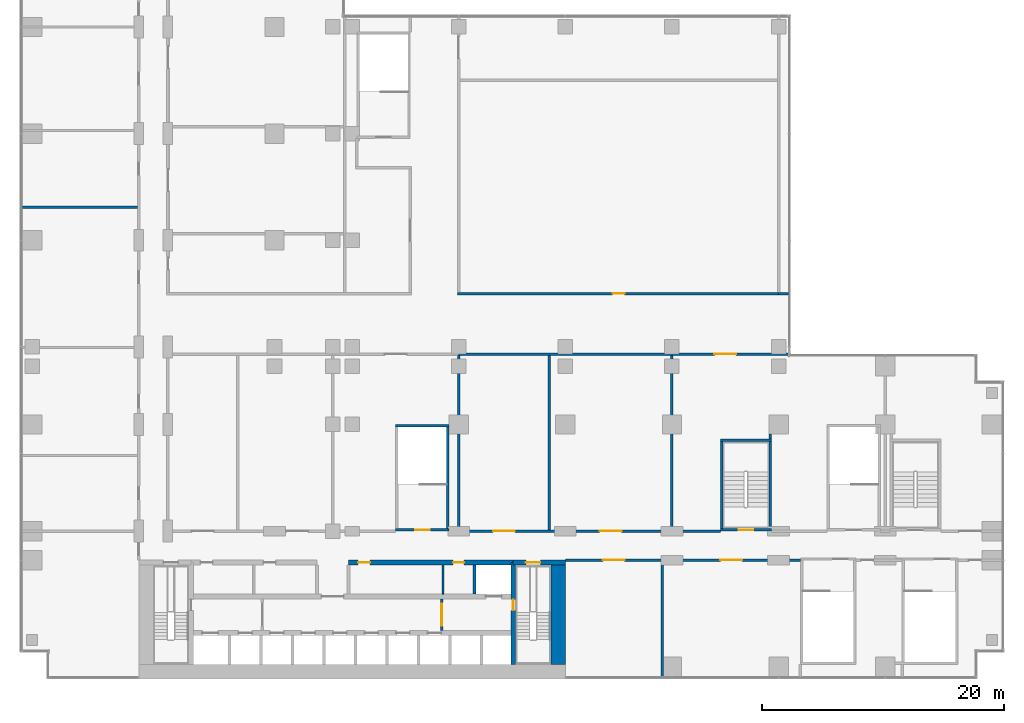
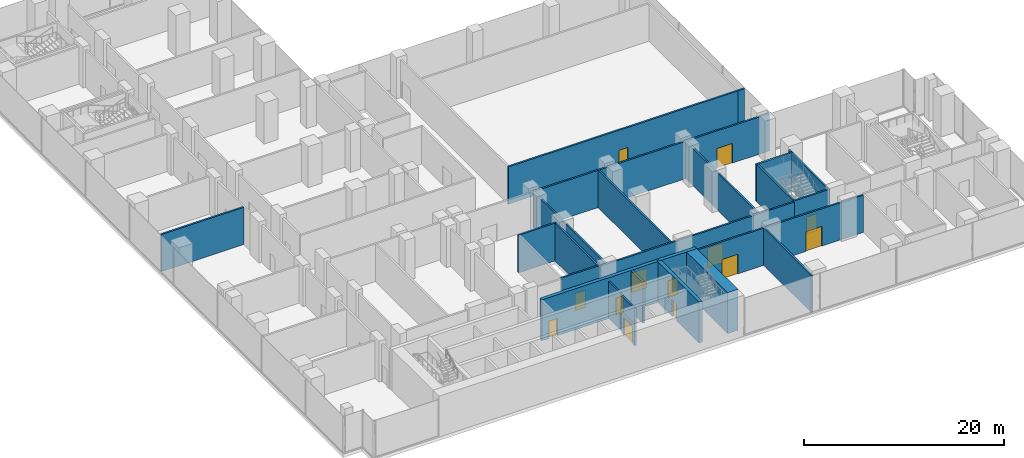
# One storey, part 19 of 27: 24 walls, 13 doors, 13 openings.
"""IFC4 building model written with IfcOpenShell, lengths in metres."""

from ifc_helpers import new_model, si_unit, direction, frame, frame_2d, origin, place, context, subcontext, project, spatial, rectangle, extrude, material, layer, layer_set, type_object, element, fill, save


model = new_model("IFC4")

# Units and contexts
model_context = context("Model", 3, precision=1e-05, world=origin(), true_north=direction((0.0, 1.0)))
body_context = subcontext(model_context, "Body", "Model", "MODEL_VIEW")
ifc_project = project(units=[si_unit("LENGTHUNIT", "METRE"), si_unit("AREAUNIT", "SQUARE_METRE"), si_unit("VOLUMEUNIT", "CUBIC_METRE"), si_unit("PLANEANGLEUNIT", "RADIAN"), si_unit("MASSUNIT", "GRAM", prefix="KILO")], contexts=[model_context])

# Site, building, storey
site_placement = place(None, origin())
site = spatial("IfcSite", under=ifc_project, at=site_placement, CompositionType="ELEMENT")
building_placement = place(site_placement, origin())
building = spatial("IfcBuilding", under=site, at=building_placement, Name="Kemantara Hotel Tower", CompositionType="ELEMENT")
storey_placement = place(building_placement, frame((0.0, 0.0, 29.0)))
storey = spatial("IfcBuildingStorey", under=building, at=storey_placement, Name="L05", CompositionType="ELEMENT", Elevation=29.0)

# Walls
ifc_material_1 = material(Name="Concrete fc 70 MPa", Category="concrete")
ifc_layer_1 = layer(ifc_material_1, 1.199951171875)
ifc_layer_set_1 = layer_set([ifc_layer_1], Name="Concrete fc 70 MPa")
wall_type_1 = type_object("IfcWallType", Name="CORE WALL 1200 FC70", PredefinedType="SHEAR", material=ifc_layer_set_1)
wall_1_placement = place(storey_placement, frame((44.39990234375, 1.199951171875, 0.0), z_axis=(0.0, 0.0, 1.0), x_axis=(0.0, 1.0, 0.0)))
element("IfcWall", 1, at=wall_1_placement, inside=storey, type_object=wall_type_1, Name="CORE WALL CW-E", PredefinedType="SHEAR", context=body_context, shape_type="SweptSolid", body=[
    extrude(rectangle(XDim=8.60009765625, YDim=1.199951171875, at=frame_2d((4.300048828125, 0.0))), origin(), (0.0, 0.0, 1.0), 5.0),
])
ifc_layer_2 = layer(ifc_material_1, 0.25)
ifc_layer_set_2 = layer_set([ifc_layer_2], Name="Concrete fc 70 MPa")
wall_type_2 = type_object("IfcWallType", Name="CORE WALL 250 FC70", PredefinedType="SHEAR", material=ifc_layer_set_2)
wall_2_placement = place(storey_placement, frame((37.5, 7.0, 0.0), z_axis=(0.0, 0.0, 1.0), x_axis=(0.0, 1.0, 0.0)))
element("IfcWall", 2, at=wall_2_placement, inside=storey, type_object=wall_type_2, Name="CORE WALL CW-DN37.5", PredefinedType="SHEAR", context=body_context, shape_type="SweptSolid", body=[
    extrude(rectangle(XDim=2.39990234375, YDim=0.25, at=frame_2d((1.199951171875, 0.0))), origin(), (0.0, 0.0, 1.0), 5.0),
])

# Wall, opening, door
ifc_layer_3 = layer(ifc_material_1, 0.39990234375)
ifc_layer_set_3 = layer_set([ifc_layer_3], Name="Concrete fc 70 MPa")
wall_type_3 = type_object("IfcWallType", Name="CORE WALL 400 FC70", PredefinedType="SHEAR", material=ifc_layer_set_3)
wall_3_placement = place(storey_placement, frame((40.699951171875, 9.60009765625, 0.0), z_axis=(0.0, 0.0, 1.0), x_axis=(1.0, 0.0, 0.0)))
wall_3 = element("IfcWall", 3, at=wall_3_placement, inside=storey, type_object=wall_type_3, Name="CORE WALL CW-N2", PredefinedType="SHEAR", context=body_context, shape_type="SweptSolid", body=[
    extrude(rectangle(XDim=4.300048828125, YDim=0.39990234375, at=frame_2d((2.14990234375, 0.0))), origin(), (0.0, 0.0, 1.0), 5.0),
])
opening_1_placement = place(wall_3_placement, frame((1.050048828125, 0.0, 0.0)))
opening_1 = element("IfcOpeningElement", 4, at=opening_1_placement, cuts=wall_3, Name="Opening C07-ST2-C", PredefinedType="OPENING", context=body_context, shape_type="SweptSolid", body=[
    extrude(rectangle(XDim=1.199951171875, YDim=2.10009765625, at=frame_2d((0.60009765625, 1.050048828125))), frame((0.0, 0.2099609375, 0.0), z_axis=(0.0, -1.0, 0.0), x_axis=(1.0, 0.0, 0.0)), (0.0, 0.0, 1.0), 0.419921875),
])
ifc_material_2 = material(Name="Steel fire door", Category="steel")
door_type_1 = type_object("IfcDoorType", Name="Fire door FD90 1200 x 2100", OperationType="NOTDEFINED", PredefinedType="DOOR", material=ifc_material_2)
door_1_placement = place(opening_1_placement, frame((1.199951171875, 0.0, 0.0), z_axis=(0.0, 0.0, 1.0), x_axis=(-1.0, 0.0, 0.0)))
door_1 = element("IfcDoor", 5, at=door_1_placement, inside=storey, type_object=door_type_1, Name="Stair ST2 door to corridor", OperationType="SINGLE_SWING_RIGHT", OverallHeight=2.10009765625, OverallWidth=1.199951171875, PredefinedType="DOOR", context=body_context, shape_type="SweptSolid", body=[
    extrude(rectangle(XDim=1.199951171875, YDim=2.10009765625, at=frame_2d((0.60009765625, 1.050048828125))), frame((0.0, 0.02490234375, 0.0), z_axis=(0.0, -1.0, 0.0), x_axis=(1.0, 0.0, 0.0)), (0.0, 0.0, 1.0), 0.050048828125),
])
fill(opening_1, door_1)

# Wall, openings, doors
wall_4_placement = place(storey_placement, frame((27.10009765625, 9.60009765625, 0.0), z_axis=(0.0, 0.0, 1.0), x_axis=(1.0, 0.0, 0.0)))
wall_4 = element("IfcWall", 6, at=wall_4_placement, inside=storey, type_object=wall_type_3, Name="CORE WALL CW-NN2", PredefinedType="SHEAR", context=body_context, shape_type="SweptSolid", body=[
    extrude(rectangle(XDim=13.599853515625, YDim=0.39990234375, at=frame_2d((6.7998046875, 0.0))), origin(), (0.0, 0.0, 1.0), 5.0),
])
opening_2_placement = place(wall_4_placement, frame((0.800048828125, 0.0, 0.0)))
opening_2 = element("IfcOpeningElement", 7, at=opening_2_placement, cuts=wall_4, Name="Opening C07-R-NE1", PredefinedType="OPENING", context=body_context, shape_type="SweptSolid", body=[
    extrude(rectangle(XDim=1.0, YDim=2.10009765625, at=frame_2d((0.5, 1.050048828125))), frame((0.0, 0.2099609375, 0.0), z_axis=(0.0, -1.0, 0.0), x_axis=(1.0, 0.0, 0.0)), (0.0, 0.0, 1.0), 0.419921875),
])
opening_3_placement = place(wall_4_placement, frame((8.64990234375, 0.0, 0.0)))
opening_3 = element("IfcOpeningElement", 8, at=opening_3_placement, cuts=wall_4, Name="Opening C07-R-NE2", PredefinedType="OPENING", context=body_context, shape_type="SweptSolid", body=[
    extrude(rectangle(XDim=0.89990234375, YDim=2.10009765625, at=frame_2d((0.449951171875, 1.050048828125))), frame((0.0, 0.2099609375, 0.0), z_axis=(0.0, -1.0, 0.0), x_axis=(1.0, 0.0, 0.0)), (0.0, 0.0, 1.0), 0.419921875),
])
door_type_2 = type_object("IfcDoorType", Name="Fire door FD30S 1000 x 2100", OperationType="NOTDEFINED", PredefinedType="DOOR", material=ifc_material_2)
door_2_placement = place(opening_2_placement, frame((1.0, 0.0, 0.0), z_axis=(0.0, 0.0, 1.0), x_axis=(-1.0, 0.0, 0.0)))
door_2 = element("IfcDoor", 9, at=door_2_placement, inside=storey, type_object=door_type_2, Name="Luggage Store door", OperationType="SINGLE_SWING_RIGHT", OverallHeight=2.10009765625, OverallWidth=1.0, PredefinedType="DOOR", context=body_context, shape_type="SweptSolid", body=[
    extrude(rectangle(XDim=1.0, YDim=2.10009765625, at=frame_2d((0.5, 1.050048828125))), frame((0.0, 0.02490234375, 0.0), z_axis=(0.0, -1.0, 0.0), x_axis=(1.0, 0.0, 0.0)), (0.0, 0.0, 1.0), 0.050048828125),
])
fill(opening_2, door_2)
door_type_3 = type_object("IfcDoorType", Name="Fire door FD30S 900 x 2100", OperationType="NOTDEFINED", PredefinedType="DOOR", material=ifc_material_2)
door_3_placement = place(opening_3_placement, frame((0.89990234375, 0.0, 0.0), z_axis=(0.0, 0.0, 1.0), x_axis=(-1.0, 0.0, 0.0)))
door_3 = element("IfcDoor", 10, at=door_3_placement, inside=storey, type_object=door_type_3, Name="Staff Wc door", OperationType="SINGLE_SWING_LEFT", OverallHeight=2.10009765625, OverallWidth=0.89990234375, PredefinedType="DOOR", context=body_context, shape_type="SweptSolid", body=[
    extrude(rectangle(XDim=0.89990234375, YDim=2.10009765625, at=frame_2d((0.449951171875, 1.050048828125))), frame((0.0, 0.02490234375, 0.0), z_axis=(0.0, -1.0, 0.0), x_axis=(1.0, 0.0, 0.0)), (0.0, 0.0, 1.0), 0.050048828125),
])
fill(opening_3, door_3)

# Wall, opening, door
wall_5_placement = place(storey_placement, frame((40.699951171875, 1.199951171875, 0.0), z_axis=(0.0, 0.0, 1.0), x_axis=(0.0, 1.0, 0.0)))
wall_5 = element("IfcWall", 11, at=wall_5_placement, inside=storey, type_object=wall_type_3, Name="CORE WALL CW-ST2W", PredefinedType="SHEAR", context=body_context, shape_type="SweptSolid", body=[
    extrude(rectangle(XDim=8.400146484375, YDim=0.39990234375, at=frame_2d((4.2001953125, 0.0))), origin(), (0.0, 0.0, 1.0), 5.0),
])
opening_4_placement = place(wall_5_placement, frame((4.449951171875, 0.0, 0.0)))
opening_4 = element("IfcOpeningElement", 12, at=opening_4_placement, cuts=wall_5, Name="Opening C07-ST2-F", PredefinedType="OPENING", context=body_context, shape_type="SweptSolid", body=[
    extrude(rectangle(XDim=0.89990234375, YDim=2.10009765625, at=frame_2d((0.449951171875, 1.050048828125))), frame((0.0, 0.2099609375, 0.0), z_axis=(0.0, -1.0, 0.0), x_axis=(1.0, 0.0, 0.0)), (0.0, 0.0, 1.0), 0.419921875),
])
door_type_4 = type_object("IfcDoorType", Name="Fire door FD90 900 x 2100", OperationType="NOTDEFINED", PredefinedType="DOOR", material=ifc_material_2)
door_4_placement = place(opening_4_placement, frame((0.89990234375, 0.0, 0.0), z_axis=(0.0, 0.0, 1.0), x_axis=(-1.0, 0.0, 0.0)))
door_4 = element("IfcDoor", 13, at=door_4_placement, inside=storey, type_object=door_type_4, Name="Stair ST2 door to firefighting lobby", OperationType="SINGLE_SWING_LEFT", OverallHeight=2.10009765625, OverallWidth=0.89990234375, PredefinedType="DOOR", context=body_context, shape_type="SweptSolid", body=[
    extrude(rectangle(XDim=0.89990234375, YDim=2.10009765625, at=frame_2d((0.449951171875, 1.050048828125))), frame((0.0, 0.02490234375, 0.0), z_axis=(0.0, -1.0, 0.0), x_axis=(1.0, 0.0, 0.0)), (0.0, 0.0, 1.0), 0.050048828125),
])
fill(opening_4, door_4)

ifc_material_3 = material(Name="Concrete fc 40 MPa", Category="concrete")
ifc_layer_4 = layer(ifc_material_3, 0.199951171875)
ifc_layer_set_4 = layer_set([ifc_layer_4], Name="Concrete fc 40 MPa")
wall_type_4 = type_object("IfcWallType", Name="Concrete stair wall 200 mm", PredefinedType="SHEAR", material=ifc_layer_set_4)
wall_6_placement = place(storey_placement, frame((57.800048828125, 12.300048828125, 0.0), z_axis=(0.0, 0.0, 1.0), x_axis=(1.0, 0.0, 0.0)))
wall_6 = element("IfcWall", 14, at=wall_6_placement, inside=storey, type_object=wall_type_4, Name="Stair ST3 enclosure wall with door", PredefinedType="SHEAR", context=body_context, shape_type="SweptSolid", body=[
    extrude(rectangle(XDim=4.199951171875, YDim=0.199951171875, at=frame_2d((2.10009765625, 0.0))), origin(), (0.0, 0.0, 1.0), 4.60009765625),
])
opening_5_placement = place(wall_6_placement, frame((1.5, 0.0, 0.0)))
opening_5 = element("IfcOpeningElement", 15, at=opening_5_placement, cuts=wall_6, Name="Opening ST3-C", PredefinedType="OPENING", context=body_context, shape_type="SweptSolid", body=[
    extrude(rectangle(XDim=1.199951171875, YDim=2.10009765625, at=frame_2d((0.60009765625, 1.050048828125))), frame((0.0, 0.10986328125, 0.0), z_axis=(0.0, -1.0, 0.0), x_axis=(1.0, 0.0, 0.0)), (0.0, 0.0, 1.0), 0.219970703125),
])
door_5_placement = place(opening_5_placement, origin())
door_5 = element("IfcDoor", 16, at=door_5_placement, inside=storey, type_object=door_type_1, Name="Stair ST3 door", OperationType="SINGLE_SWING_RIGHT", OverallHeight=2.10009765625, OverallWidth=1.199951171875, PredefinedType="DOOR", context=body_context, shape_type="SweptSolid", body=[
    extrude(rectangle(XDim=1.199951171875, YDim=2.10009765625, at=frame_2d((0.60009765625, 1.050048828125))), frame((0.0, 0.02490234375, 0.0), z_axis=(0.0, -1.0, 0.0), x_axis=(1.0, 0.0, 0.0)), (0.0, 0.0, 1.0), 0.050048828125),
])
fill(opening_5, door_5)

# Walls
wall_7_placement = place(storey_placement, frame((57.800048828125, 19.699951171875, 0.0), z_axis=(0.0, 0.0, 1.0), x_axis=(1.0, 0.0, 0.0)))
element("IfcWall", 17, at=wall_7_placement, inside=storey, type_object=wall_type_4, Name="Stair ST3 enclosure wall N", PredefinedType="SHEAR", context=body_context, shape_type="SweptSolid", body=[
    extrude(rectangle(XDim=4.199951171875, YDim=0.199951171875, at=frame_2d((2.10009765625, 0.0))), origin(), (0.0, 0.0, 1.0), 4.60009765625),
])
wall_8_placement = place(storey_placement, frame((57.89990234375, 12.39990234375, 0.0), z_axis=(0.0, 0.0, 1.0), x_axis=(0.0, 1.0, 0.0)))
element("IfcWall", 18, at=wall_8_placement, inside=storey, type_object=wall_type_4, Name="Stair ST3 enclosure wall W", PredefinedType="SHEAR", context=body_context, shape_type="SweptSolid", body=[
    extrude(rectangle(XDim=7.2001953125, YDim=0.199951171875, at=frame_2d((3.60009765625, 0.0))), origin(), (0.0, 0.0, 1.0), 4.60009765625),
])
wall_9_placement = place(storey_placement, frame((61.89990234375, 12.39990234375, 0.0), z_axis=(0.0, 0.0, 1.0), x_axis=(0.0, 1.0, 0.0)))
element("IfcWall", 19, at=wall_9_placement, inside=storey, type_object=wall_type_4, Name="Stair ST3 enclosure wall E", PredefinedType="SHEAR", context=body_context, shape_type="SweptSolid", body=[
    extrude(rectangle(XDim=7.800048828125, YDim=0.199951171875, at=frame_2d((3.89990234375, 0.0))), origin(), (0.0, 0.0, 1.0), 4.60009765625),
])

# Wall, opening, door
wall_10_placement = place(storey_placement, frame((31.0, 12.300048828125, 0.0), z_axis=(0.0, 0.0, 1.0), x_axis=(1.0, 0.0, 0.0)))
wall_10 = element("IfcWall", 20, at=wall_10_placement, inside=storey, type_object=wall_type_4, Name="Stair PS3 enclosure wall with door", PredefinedType="SHEAR", context=body_context, shape_type="SweptSolid", body=[
    extrude(rectangle(XDim=4.39990234375, YDim=0.199951171875, at=frame_2d((2.199951171875, 0.0))), origin(), (0.0, 0.0, 1.0), 4.60009765625),
])
opening_6_placement = place(wall_10_placement, frame((1.60009765625, 0.0, 0.0)))
opening_6 = element("IfcOpeningElement", 21, at=opening_6_placement, cuts=wall_10, Name="Opening PS3-C", PredefinedType="OPENING", context=body_context, shape_type="SweptSolid", body=[
    extrude(rectangle(XDim=1.199951171875, YDim=2.10009765625, at=frame_2d((0.60009765625, 1.050048828125))), frame((0.0, 0.10986328125, 0.0), z_axis=(0.0, -1.0, 0.0), x_axis=(1.0, 0.0, 0.0)), (0.0, 0.0, 1.0), 0.219970703125),
])
door_6_placement = place(opening_6_placement, origin())
door_6 = element("IfcDoor", 22, at=door_6_placement, inside=storey, type_object=door_type_1, Name="Stair PS3 door", OperationType="SINGLE_SWING_LEFT", OverallHeight=2.10009765625, OverallWidth=1.199951171875, PredefinedType="DOOR", context=body_context, shape_type="SweptSolid", body=[
    extrude(rectangle(XDim=1.199951171875, YDim=2.10009765625, at=frame_2d((0.60009765625, 1.050048828125))), frame((0.0, 0.02490234375, 0.0), z_axis=(0.0, -1.0, 0.0), x_axis=(1.0, 0.0, 0.0)), (0.0, 0.0, 1.0), 0.050048828125),
])
fill(opening_6, door_6)

# Walls
wall_11_placement = place(storey_placement, frame((31.0, 20.89990234375, 0.0), z_axis=(0.0, 0.0, 1.0), x_axis=(1.0, 0.0, 0.0)))
element("IfcWall", 23, at=wall_11_placement, inside=storey, type_object=wall_type_4, Name="Stair PS3 enclosure wall N", PredefinedType="SHEAR", context=body_context, shape_type="SweptSolid", body=[
    extrude(rectangle(XDim=4.39990234375, YDim=0.199951171875, at=frame_2d((2.199951171875, 0.0))), origin(), (0.0, 0.0, 1.0), 4.60009765625),
])
wall_12_placement = place(storey_placement, frame((35.300048828125, 12.39990234375, 0.0), z_axis=(0.0, 0.0, 1.0), x_axis=(0.0, 1.0, 0.0)))
element("IfcWall", 24, at=wall_12_placement, inside=storey, type_object=wall_type_4, Name="Stair PS3 enclosure wall E", PredefinedType="SHEAR", context=body_context, shape_type="SweptSolid", body=[
    extrude(rectangle(XDim=8.400146484375, YDim=0.199951171875, at=frame_2d((4.2001953125, 0.0))), origin(), (0.0, 0.0, 1.0), 4.60009765625),
])
ifc_material_4 = material(Name="Clay brick masonry", Category="masonry")
ifc_layer_5 = layer(ifc_material_4, 0.199951171875)
ifc_layer_set_5 = layer_set([ifc_layer_5], Name="Clay brick masonry")
wall_type_5 = type_object("IfcWallType", Name="FIRE-RATED CLAY BRICK WALL 200 EI 120", PredefinedType="PARTITIONING", material=ifc_layer_set_5)
wall_13_placement = place(storey_placement, frame((62.60009765625, 31.800048828125, 0.0), z_axis=(0.0, 0.0, 1.0), x_axis=(1.0, 0.0, 0.0)))
element("IfcWall", 25, at=wall_13_placement, inside=storey, type_object=wall_type_5, Name="FIRE WALL", PredefinedType="PARTITIONING", context=body_context, shape_type="SweptSolid", body=[
    extrude(rectangle(XDim=0.7998046875, YDim=0.199951171875, at=frame_2d((0.39990234375, 0.0))), origin(), (0.0, 0.0, 1.0), 4.550048828125),
])

# Wall, openings, doors
ifc_material_5 = material(Name="Fire-rated gypsum board partition")
ifc_layer_6 = layer(ifc_material_5, 0.199951171875)
ifc_layer_set_6 = layer_set([ifc_layer_6], Name="Fire-rated gypsum board partition")
wall_type_6 = type_object("IfcWallType", Name="FIRE-RATED GYPSUM PARTITION 200 EI 60", PredefinedType="PARTITIONING", material=ifc_layer_set_6)
wall_14_placement = place(storey_placement, frame((45.0, 9.800048828125, 0.0), z_axis=(0.0, 0.0, 1.0), x_axis=(1.0, 0.0, 0.0)))
wall_14 = element("IfcWall", 26, at=wall_14_placement, inside=storey, type_object=wall_type_6, Name="FIRE-RATED PARTITION", PredefinedType="PARTITIONING", context=body_context, shape_type="SweptSolid", body=[
    extrude(rectangle(XDim=19.39990234375, YDim=0.199951171875, at=frame_2d((9.699951171875, 0.0))), origin(), (0.0, 0.0, 1.0), 4.550048828125),
])
opening_7_placement = place(wall_14_placement, frame((3.094970703125, 0.0, 0.0)))
opening_7 = element("IfcOpeningElement", 27, at=opening_7_placement, cuts=wall_14, Name="Opening L05-B003", PredefinedType="OPENING", context=body_context, shape_type="SweptSolid", body=[
    extrude(rectangle(XDim=1.800048828125, YDim=2.39990234375, at=frame_2d((0.89990234375, 1.199951171875))), frame((0.0, 0.10986328125, 0.0), z_axis=(0.0, -1.0, 0.0), x_axis=(1.0, 0.0, 0.0)), (0.0, 0.0, 1.0), 0.219970703125),
])
opening_8_placement = place(wall_14_placement, frame((12.794921875, 0.0, 0.0)))
opening_8 = element("IfcOpeningElement", 28, at=opening_8_placement, cuts=wall_14, Name="Opening L05-B004", PredefinedType="OPENING", context=body_context, shape_type="SweptSolid", body=[
    extrude(rectangle(XDim=1.800048828125, YDim=2.39990234375, at=frame_2d((0.89990234375, 1.199951171875))), frame((0.0, 0.10986328125, 0.0), z_axis=(0.0, -1.0, 0.0), x_axis=(1.0, 0.0, 0.0)), (0.0, 0.0, 1.0), 0.219970703125),
])
ifc_material_6 = material(Name="Toughened glass door leaf", Category="glass")
door_type_5 = type_object("IfcDoorType", Name="GLAZED DOUBLE DOOR 1800 X 2400", OperationType="DOUBLE_DOOR_SINGLE_SWING", PredefinedType="DOOR", material=ifc_material_6)
door_7_placement = place(opening_7_placement, origin())
door_7 = element("IfcDoor", 29, at=door_7_placement, inside=storey, type_object=door_type_5, Name="GLAZED DOUBLE DOOR", OperationType="DOUBLE_DOOR_SINGLE_SWING", OverallHeight=2.39990234375, OverallWidth=1.800048828125, PredefinedType="DOOR", context=body_context, shape_type="SweptSolid", body=[
    extrude(rectangle(XDim=1.800048828125, YDim=2.39990234375, at=frame_2d((0.89990234375, 1.199951171875))), frame((0.0, 0.02490234375, 0.0), z_axis=(0.0, -1.0, 0.0), x_axis=(1.0, 0.0, 0.0)), (0.0, 0.0, 1.0), 0.050048828125),
])
fill(opening_7, door_7)
door_8_placement = place(opening_8_placement, origin())
door_8 = element("IfcDoor", 30, at=door_8_placement, inside=storey, type_object=door_type_5, Name="GLAZED DOUBLE DOOR", OperationType="DOUBLE_DOOR_SINGLE_SWING", OverallHeight=2.39990234375, OverallWidth=1.800048828125, PredefinedType="DOOR", context=body_context, shape_type="SweptSolid", body=[
    extrude(rectangle(XDim=1.800048828125, YDim=2.39990234375, at=frame_2d((0.89990234375, 1.199951171875))), frame((0.0, 0.02490234375, 0.0), z_axis=(0.0, -1.0, 0.0), x_axis=(1.0, 0.0, 0.0)), (0.0, 0.0, 1.0), 0.050048828125),
])
fill(opening_8, door_8)

wall_15_placement = place(storey_placement, frame((35.39990234375, 12.199951171875, 0.0), z_axis=(0.0, 0.0, 1.0), x_axis=(1.0, 0.0, 0.0)))
wall_15 = element("IfcWall", 31, at=wall_15_placement, inside=storey, type_object=wall_type_6, Name="FIRE-RATED PARTITION", PredefinedType="PARTITIONING", context=body_context, shape_type="SweptSolid", body=[
    extrude(rectangle(XDim=22.400146484375, YDim=0.199951171875, at=frame_2d((11.2001953125, 0.0))), origin(), (0.0, 0.0, 1.0), 4.550048828125),
])
opening_9_placement = place(wall_15_placement, frame((3.639892578125, 0.0, 0.0)))
opening_9 = element("IfcOpeningElement", 32, at=opening_9_placement, cuts=wall_15, Name="Opening L05-B025", PredefinedType="OPENING", context=body_context, shape_type="SweptSolid", body=[
    extrude(rectangle(XDim=1.800048828125, YDim=2.39990234375, at=frame_2d((0.89990234375, 1.199951171875))), frame((0.0, 0.10986328125, 0.0), z_axis=(0.0, -1.0, 0.0), x_axis=(1.0, 0.0, 0.0)), (0.0, 0.0, 1.0), 0.219970703125),
])
opening_10_placement = place(wall_15_placement, frame((12.43994140625, 0.0, 0.0)))
opening_10 = element("IfcOpeningElement", 33, at=opening_10_placement, cuts=wall_15, Name="Opening L05-B026", PredefinedType="OPENING", context=body_context, shape_type="SweptSolid", body=[
    extrude(rectangle(XDim=1.800048828125, YDim=2.39990234375, at=frame_2d((0.89990234375, 1.199951171875))), frame((0.0, 0.10986328125, 0.0), z_axis=(0.0, -1.0, 0.0), x_axis=(1.0, 0.0, 0.0)), (0.0, 0.0, 1.0), 0.219970703125),
])
door_9_placement = place(opening_9_placement, frame((1.800048828125, 0.0, 0.0), z_axis=(0.0, 0.0, 1.0), x_axis=(-1.0, 0.0, 0.0)))
door_9 = element("IfcDoor", 34, at=door_9_placement, inside=storey, type_object=door_type_5, Name="GLAZED DOUBLE DOOR", OperationType="DOUBLE_DOOR_SINGLE_SWING", OverallHeight=2.39990234375, OverallWidth=1.800048828125, PredefinedType="DOOR", context=body_context, shape_type="SweptSolid", body=[
    extrude(rectangle(XDim=1.800048828125, YDim=2.39990234375, at=frame_2d((0.89990234375, 1.199951171875))), frame((0.0, 0.02490234375, 0.0), z_axis=(0.0, -1.0, 0.0), x_axis=(1.0, 0.0, 0.0)), (0.0, 0.0, 1.0), 0.050048828125),
])
fill(opening_9, door_9)
door_10_placement = place(opening_10_placement, frame((1.800048828125, 0.0, 0.0), z_axis=(0.0, 0.0, 1.0), x_axis=(-1.0, 0.0, 0.0)))
door_10 = element("IfcDoor", 35, at=door_10_placement, inside=storey, type_object=door_type_5, Name="GLAZED DOUBLE DOOR", OperationType="DOUBLE_DOOR_SINGLE_SWING", OverallHeight=2.39990234375, OverallWidth=1.800048828125, PredefinedType="DOOR", context=body_context, shape_type="SweptSolid", body=[
    extrude(rectangle(XDim=1.800048828125, YDim=2.39990234375, at=frame_2d((0.89990234375, 1.199951171875))), frame((0.0, 0.02490234375, 0.0), z_axis=(0.0, -1.0, 0.0), x_axis=(1.0, 0.0, 0.0)), (0.0, 0.0, 1.0), 0.050048828125),
])
fill(opening_10, door_10)

# Wall, opening, door
wall_16_placement = place(storey_placement, frame((36.10009765625, 31.800048828125, 0.0), z_axis=(0.0, 0.0, 1.0), x_axis=(1.0, 0.0, 0.0)))
wall_16 = element("IfcWall", 36, at=wall_16_placement, inside=storey, type_object=wall_type_6, Name="FIRE-RATED PARTITION", PredefinedType="PARTITIONING", context=body_context, shape_type="SweptSolid", body=[
    extrude(rectangle(XDim=26.5, YDim=0.199951171875, at=frame_2d((13.25, 0.0))), origin(), (0.0, 0.0, 1.0), 4.550048828125),
])
opening_11_placement = place(wall_16_placement, frame((12.800048828125, 0.0, 0.0)))
opening_11 = element("IfcOpeningElement", 37, at=opening_11_placement, cuts=wall_16, Name="Opening L05-B029", PredefinedType="OPENING", context=body_context, shape_type="SweptSolid", body=[
    extrude(rectangle(XDim=1.0, YDim=2.10009765625, at=frame_2d((0.5, 1.050048828125))), frame((0.0, 0.10986328125, 0.0), z_axis=(0.0, -1.0, 0.0), x_axis=(1.0, 0.0, 0.0)), (0.0, 0.0, 1.0), 0.219970703125),
])
ifc_material_7 = material(Name="Galvanised steel door leaf", Category="steel")
door_type_6 = type_object("IfcDoorType", Name="FIRE-RATED STEEL DOOR 1000 X 2100", OperationType="SINGLE_SWING_LEFT", PredefinedType="DOOR", material=ifc_material_7)
door_11_placement = place(opening_11_placement, origin())
door_11 = element("IfcDoor", 38, at=door_11_placement, inside=storey, type_object=door_type_6, Name="FIRE-RATED STEEL DOOR", OperationType="SINGLE_SWING_RIGHT", OverallHeight=2.10009765625, OverallWidth=1.0, PredefinedType="DOOR", context=body_context, shape_type="SweptSolid", body=[
    extrude(rectangle(XDim=1.0, YDim=2.10009765625, at=frame_2d((0.5, 1.050048828125))), frame((0.0, 0.02490234375, 0.0), z_axis=(0.0, -1.0, 0.0), x_axis=(1.0, 0.0, 0.0)), (0.0, 0.0, 1.0), 0.050048828125),
])
fill(opening_11, door_11)

ifc_material_8 = material(Name="Gypsum board partition")
ifc_layer_7 = layer(ifc_material_8, 0.199951171875)
ifc_layer_set_7 = layer_set([ifc_layer_7], Name="Gypsum board partition")
wall_type_7 = type_object("IfcWallType", Name="GYPSUM BOARD PARTITION 200", PredefinedType="PARTITIONING", material=ifc_layer_set_7)
wall_17_placement = place(storey_placement, frame((36.199951171875, 26.800048828125, 0.0), z_axis=(0.0, 0.0, 1.0), x_axis=(1.0, 0.0, 0.0)))
wall_17 = element("IfcWall", 39, at=wall_17_placement, inside=storey, type_object=wall_type_7, Name="PARTITION", PredefinedType="PARTITIONING", context=body_context, shape_type="SweptSolid", body=[
    extrude(rectangle(XDim=27.199951171875, YDim=0.199951171875, at=frame_2d((13.60009765625, 0.0))), origin(), (0.0, 0.0, 1.0), 4.550048828125),
])
opening_12_placement = place(wall_17_placement, frame((21.10009765625, 0.0, 0.0)))
opening_12 = element("IfcOpeningElement", 40, at=opening_12_placement, cuts=wall_17, Name="Opening L05-B027", PredefinedType="OPENING", context=body_context, shape_type="SweptSolid", body=[
    extrude(rectangle(XDim=1.800048828125, YDim=2.39990234375, at=frame_2d((0.89990234375, 1.199951171875))), frame((0.0, 0.10986328125, 0.0), z_axis=(0.0, -1.0, 0.0), x_axis=(1.0, 0.0, 0.0)), (0.0, 0.0, 1.0), 0.219970703125),
])
door_12_placement = place(opening_12_placement, frame((1.800048828125, 0.0, 0.0), z_axis=(0.0, 0.0, 1.0), x_axis=(-1.0, 0.0, 0.0)))
door_12 = element("IfcDoor", 41, at=door_12_placement, inside=storey, type_object=door_type_5, Name="GLAZED DOUBLE DOOR", OperationType="DOUBLE_DOOR_SINGLE_SWING", OverallHeight=2.39990234375, OverallWidth=1.800048828125, PredefinedType="DOOR", context=body_context, shape_type="SweptSolid", body=[
    extrude(rectangle(XDim=1.800048828125, YDim=2.39990234375, at=frame_2d((0.89990234375, 1.199951171875))), frame((0.0, 0.02490234375, 0.0), z_axis=(0.0, -1.0, 0.0), x_axis=(1.0, 0.0, 0.0)), (0.0, 0.0, 1.0), 0.050048828125),
])
fill(opening_12, door_12)

# Walls
wall_18_placement = place(storey_placement, frame((0.199951171875, 38.93994140625, 0.0), z_axis=(0.0, 0.0, 1.0), x_axis=(1.0, 0.0, 0.0)))
element("IfcWall", 42, at=wall_18_placement, inside=storey, type_object=wall_type_7, Name="PARTITION", PredefinedType="PARTITIONING", context=body_context, shape_type="SweptSolid", body=[
    extrude(rectangle(XDim=9.5, YDim=0.199951171875, at=frame_2d((4.75, 0.0))), origin(), (0.0, 0.0, 1.0), 4.550048828125),
])
wall_19_placement = place(storey_placement, frame((36.199951171875, 12.300048828125, 0.0), z_axis=(0.0, 0.0, 1.0), x_axis=(0.0, 1.0, 0.0)))
element("IfcWall", 43, at=wall_19_placement, inside=storey, type_object=wall_type_7, Name="PARTITION", PredefinedType="PARTITIONING", context=body_context, shape_type="SweptSolid", body=[
    extrude(rectangle(XDim=14.39990234375, YDim=0.199951171875, at=frame_2d((7.199951171875, 0.0))), origin(), (0.0, 0.0, 1.0), 4.550048828125),
])
wall_20_placement = place(storey_placement, frame((52.989990234375, 0.199951171875, 0.0), z_axis=(0.0, 0.0, 1.0), x_axis=(0.0, 1.0, 0.0)))
element("IfcWall", 44, at=wall_20_placement, inside=storey, type_object=wall_type_7, Name="PARTITION", PredefinedType="PARTITIONING", context=body_context, shape_type="SweptSolid", body=[
    extrude(rectangle(XDim=9.5, YDim=0.199951171875, at=frame_2d((4.75, 0.0))), origin(), (0.0, 0.0, 1.0), 4.550048828125),
])
for number, where, z_axis, x_axis, name in (
    (45, (43.679931640625, 12.300048828125, 0.0), (0.0, 0.0, 1.0), (0.0, 1.0, 0.0), "PARTITION"),
    (46, (53.800048828125, 12.300048828125, 0.0), (0.0, 0.0, 1.0), (0.0, 1.0, 0.0), "PARTITION"),
):
    element("IfcWall", number, at=place(storey_placement, frame(where, z_axis=z_axis, x_axis=x_axis)), inside=storey, type_object=wall_type_7, Name=name, PredefinedType="PARTITIONING", context=body_context, shape_type="SweptSolid", body=[
        extrude(rectangle(XDim=14.39990234375, YDim=0.199951171875, at=frame_2d((7.199951171875, 0.0))), origin(), (0.0, 0.0, 1.0), 4.550048828125),
    ])
ifc_layer_8 = layer(ifc_material_8, 0.14990234375)
ifc_layer_set_8 = layer_set([ifc_layer_8], Name="Gypsum board partition")
wall_type_8 = type_object("IfcWallType", Name="Gypsum board partition 150 mm", PredefinedType="PARTITIONING", material=ifc_layer_set_8)
wall_21_placement = place(storey_placement, frame((34.89990234375, 7.0, 0.0), z_axis=(0.0, 0.0, 1.0), x_axis=(0.0, 1.0, 0.0)))
element("IfcWall", 47, at=wall_21_placement, inside=storey, type_object=wall_type_8, Name="Core room partition", PredefinedType="PARTITIONING", context=body_context, shape_type="SweptSolid", body=[
    extrude(rectangle(XDim=2.39990234375, YDim=0.14990234375, at=frame_2d((1.199951171875, 0.0))), origin(), (0.0, 0.0, 1.0), 4.550048828125),
])

# Wall, opening, door
ifc_material_9 = material(Name="Gypsum board shaft wall")
ifc_layer_9 = layer(ifc_material_9, 0.199951171875)
ifc_layer_set_9 = layer_set([ifc_layer_9], Name="Gypsum board shaft wall")
wall_type_9 = type_object("IfcWallType", Name="Gypsum board shaft wall 200 mm", PredefinedType="PARTITIONING", material=ifc_layer_set_9)
wall_22_placement = place(storey_placement, frame((34.800048828125, 4.0, 0.0), z_axis=(0.0, 0.0, 1.0), x_axis=(0.0, 1.0, 0.0)))
wall_22 = element("IfcWall", 48, at=wall_22_placement, inside=storey, type_object=wall_type_9, Name="Firefighting lobby partition east", PredefinedType="PARTITIONING", context=body_context, shape_type="SweptSolid", body=[
    extrude(rectangle(XDim=2.60009765625, YDim=0.199951171875, at=frame_2d((1.300048828125, 0.0))), origin(), (0.0, 0.0, 1.0), 4.550048828125),
])
opening_13_placement = place(wall_22_placement, frame((0.39990234375, 0.0, 0.0)))
opening_13 = element("IfcOpeningElement", 49, at=opening_13_placement, cuts=wall_22, Name="Opening C07-FFE", PredefinedType="OPENING", context=body_context, shape_type="SweptSolid", body=[
    extrude(rectangle(XDim=1.800048828125, YDim=2.10009765625, at=frame_2d((0.89990234375, 1.050048828125))), frame((0.0, 0.10986328125, 0.0), z_axis=(0.0, -1.0, 0.0), x_axis=(1.0, 0.0, 0.0)), (0.0, 0.0, 1.0), 0.219970703125),
])
door_type_7 = type_object("IfcDoorType", Name="Fire door pair FD60 1800 x 2100", OperationType="DOUBLE_DOOR_SINGLE_SWING", PredefinedType="DOOR", material=ifc_material_2)
door_13_placement = place(opening_13_placement, frame((1.800048828125, 0.0, 0.0), z_axis=(0.0, 0.0, 1.0), x_axis=(-1.0, 0.0, 0.0)))
door_13 = element("IfcDoor", 50, at=door_13_placement, inside=storey, type_object=door_type_7, Name="Firefighting lobby door east", OperationType="DOUBLE_DOOR_SINGLE_SWING", OverallHeight=2.10009765625, OverallWidth=1.800048828125, PredefinedType="DOOR", context=body_context, shape_type="SweptSolid", body=[
    extrude(rectangle(XDim=1.800048828125, YDim=2.10009765625, at=frame_2d((0.89990234375, 1.050048828125))), frame((0.0, 0.02490234375, 0.0), z_axis=(0.0, -1.0, 0.0), x_axis=(1.0, 0.0, 0.0)), (0.0, 0.0, 1.0), 0.050048828125),
])
fill(opening_13, door_13)

save(model, "model.ifc")
